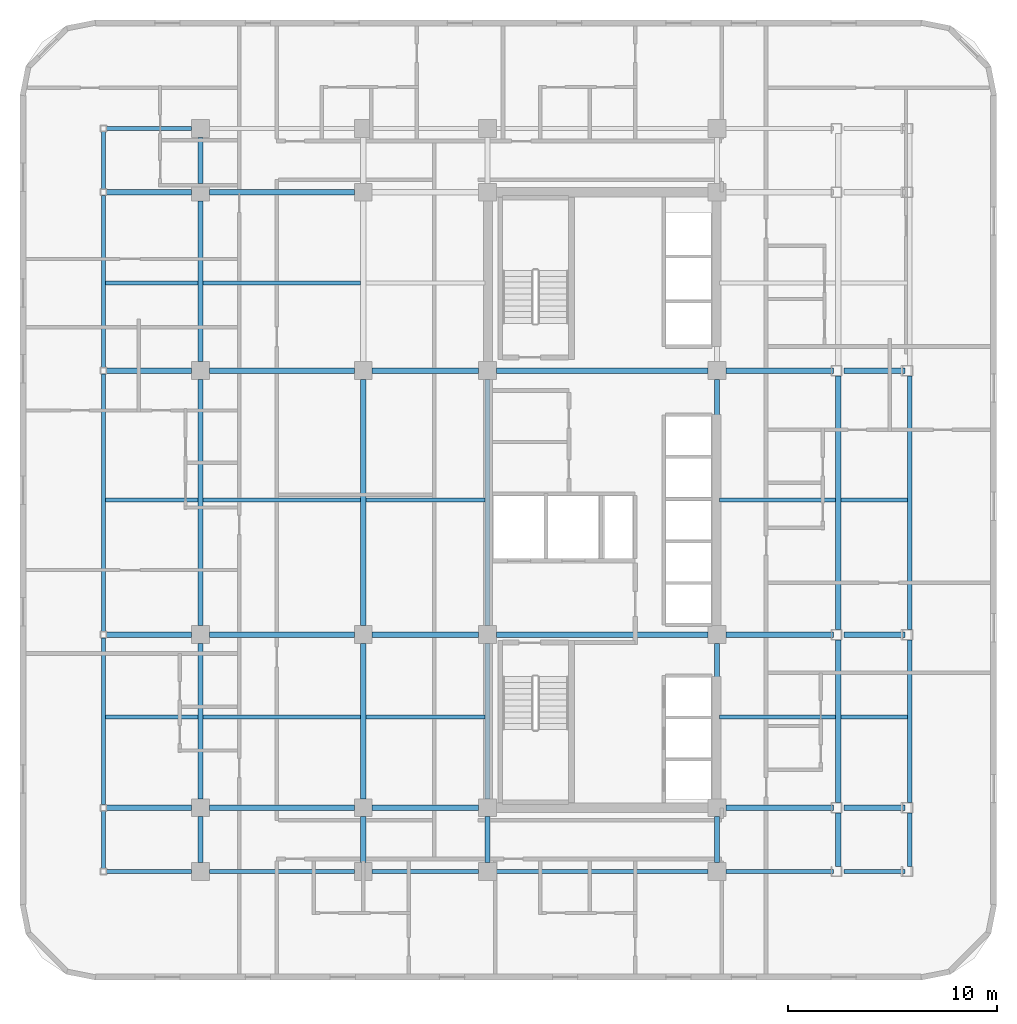
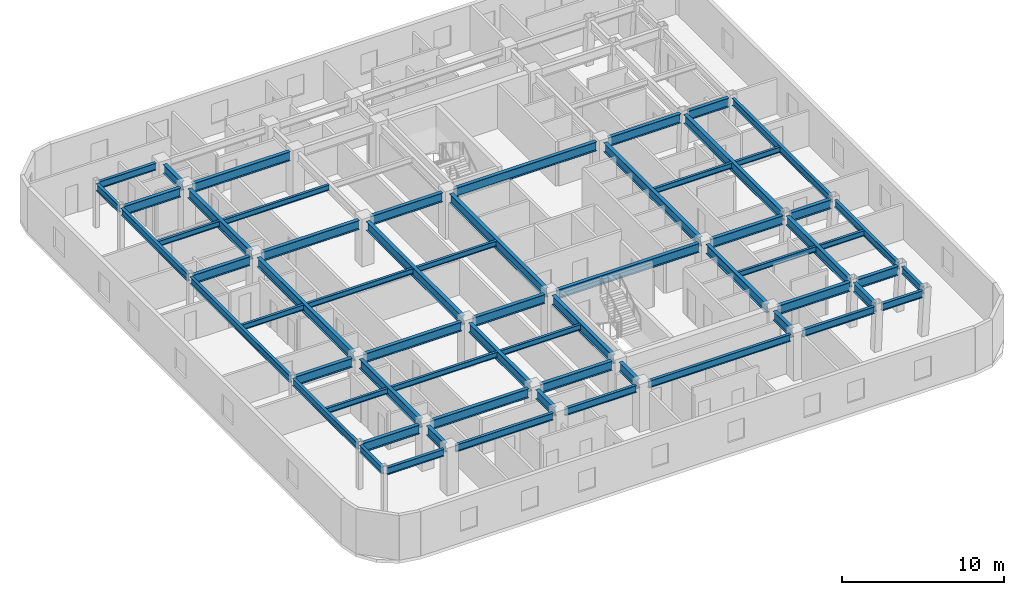
# One storey, part 4 of 12: 63 beams.
"""IFC4 building model written with IfcOpenShell, lengths in metres."""

import ifcopenshell
import ifcopenshell.guid

model = None  # the IFC model being written
_history = None  # IfcOwnerHistory: only IFC2X3 demands one
_inside = {}  # id of a spatial element -> (the spatial element, [elements in it])
_under = {}  # id of a project, library or spatial element -> (it, [spatial elements below it])
_declared = {}  # id of a project -> (the project, [libraries it declares])
_typed = {}  # id of a type object -> (the type object, [elements of that type])
_made_of = {}  # id of a material, layer set ... -> (it, [elements and type objects made of it])


def new_model(schema):
    """Start an empty IFC model of exactly this schema.

    Asked for "IFC4X3", IfcOpenShell would pick the latest addendum, in which some entities
    have other attributes; the version numbers below select the first issue.
    IFC2X3 requires an IfcOwnerHistory on every rooted entity: one is made here for all.
    """
    global model, _history
    if schema == "IFC4X3":
        model = ifcopenshell.file(schema_version=(4, 3, 0, 0))
    else:
        model = ifcopenshell.file(schema=schema)
    _inside.clear()
    _under.clear()
    _declared.clear()
    _typed.clear()
    _made_of.clear()
    _history = None
    if model.schema == "IFC2X3":
        org = make("IfcOrganization", Name="unknown")
        user = make(
            "IfcPersonAndOrganization",
            ThePerson=make("IfcPerson", FamilyName="unknown"),
            TheOrganization=org,
        )
        app = make(
            "IfcApplication",
            ApplicationDeveloper=org,
            Version="unknown",
            ApplicationFullName="unknown",
            ApplicationIdentifier="unknown",
        )
        _history = make(
            "IfcOwnerHistory",
            OwningUser=user,
            OwningApplication=app,
            ChangeAction="ADDED",
            CreationDate=0,
        )
    return model


def make(cls, **values):
    """One entity of the class cls with the attributes given. An attribute that is None is left unset."""
    return model.create_entity(
        cls, **{name: value for name, value in values.items() if value is not None}
    )


def rooted(cls, **values):
    """An entity with a GlobalId (a new one), such as an element, a storey or a relation."""
    return make(cls, GlobalId=ifcopenshell.guid.new(), OwnerHistory=_history, **values)


def si_unit(unit_type, name, prefix=None):
    """IfcSIUnit, for example si_unit("LENGTHUNIT", "METRE", prefix="MILLI")."""
    return make("IfcSIUnit", UnitType=unit_type, Prefix=prefix, Name=name)


def assignment(units):
    """IfcUnitAssignment: the units of a project."""
    return None if units is None else make("IfcUnitAssignment", Units=units)


def point(xyz):
    """IfcCartesianPoint."""
    return None if xyz is None else make("IfcCartesianPoint", Coordinates=xyz)


def direction(xyz):
    """IfcDirection."""
    return None if xyz is None else make("IfcDirection", DirectionRatios=xyz)


def frame(location, z_axis=None, x_axis=None):
    """IfcAxis2Placement3D, a coordinate frame: its origin and axes. An axis left out is left unset."""
    return make(
        "IfcAxis2Placement3D",
        Location=point(location),
        Axis=direction(z_axis),
        RefDirection=direction(x_axis),
    )


def frame_2d(location, x_axis=None):
    """IfcAxis2Placement2D, a coordinate frame in the plane: its origin and x axis."""
    return make(
        "IfcAxis2Placement2D", Location=point(location), RefDirection=direction(x_axis)
    )


def origin():
    """The frame at (0, 0, 0) with its axes left unset."""
    return frame((0.0, 0.0, 0.0))


def origin_2d():
    """The frame at (0, 0) in the plane with its x axis left unset."""
    return frame_2d((0.0, 0.0))


def place(relative_to, where):
    """IfcLocalPlacement: puts the frame where relative to a parent placement (None: the world)."""
    return make(
        "IfcLocalPlacement", PlacementRelTo=relative_to, RelativePlacement=where
    )


def context(
    kind, dimensions, precision=None, world=None, true_north=None, identifier=None
):
    """IfcGeometricRepresentationContext, for example the 3D "Model" context."""
    return make(
        "IfcGeometricRepresentationContext",
        ContextIdentifier=identifier,
        ContextType=kind,
        CoordinateSpaceDimension=dimensions,
        Precision=precision,
        WorldCoordinateSystem=world,
        TrueNorth=true_north,
    )


def subcontext(parent, identifier, kind, view, scale=None):
    """IfcGeometricRepresentationSubContext, for example "Body" below "Model"."""
    return make(
        "IfcGeometricRepresentationSubContext",
        ContextIdentifier=identifier,
        ContextType=kind,
        ParentContext=parent,
        TargetScale=scale,
        TargetView=view,
    )


def project(units=None, contexts=None):
    """IfcProject with its units and contexts."""
    return rooted(
        "IfcProject",
        Name="project",
        RepresentationContexts=contexts,
        UnitsInContext=assignment(units),
    )


def spatial(cls, under=None, at=None, **own):
    """A site, building, storey or space (cls), placed at a placement, below another one or the project."""
    s = rooted(cls, ObjectPlacement=at, **own)
    if under is not None:
        _under.setdefault(under.id(), (under, []))[1].append(s)
    return s


def profile(cls, at=None, kind="AREA", **sizes):
    """A parametric profile (cls). Its sizes go by their IFC names, for example OverallWidth=200.0."""
    return make(cls, ProfileType=kind, Position=at, **sizes)


def i_section(**sizes):
    """IfcIShapeProfileDef."""
    return profile("IfcIShapeProfileDef", **sizes)


def extrude(swept, where, along, depth):
    """IfcExtrudedAreaSolid: the profile swept, set in the frame where, extruded along a direction by depth."""
    return make(
        "IfcExtrudedAreaSolid",
        SweptArea=swept,
        Position=where,
        ExtrudedDirection=direction(along),
        Depth=depth,
    )


def shape(context_of_items, identifier, shape_type, items):
    """IfcShapeRepresentation: the items that make up one representation, for example the "Body"."""
    return make(
        "IfcShapeRepresentation",
        ContextOfItems=context_of_items,
        RepresentationIdentifier=identifier,
        RepresentationType=shape_type,
        Items=items,
    )


def material(Name=None, Category=None):
    """IfcMaterial."""
    return make("IfcMaterial", Name=Name, Category=Category)


def material_profile(
    of_material, cross_section, Name=None, Category=None, Priority=None
):
    """IfcMaterialProfile: a cross section and its material."""
    return make(
        "IfcMaterialProfile",
        Name=Name,
        Material=of_material,
        Profile=cross_section,
        Priority=Priority,
        Category=Category,
    )


def profile_set(profiles, Name=None, composite=None):
    """IfcMaterialProfileSet."""
    return make(
        "IfcMaterialProfileSet",
        Name=Name,
        MaterialProfiles=profiles,
        CompositeProfile=composite,
    )


def made_of(thing, what):
    """Note that an element or type object is made of a material, layer set ...; save() writes the relation."""
    if what is not None:
        _made_of.setdefault(what.id(), (what, []))[1].append(thing)
    return thing


def type_object(cls, material=None, **own):
    """A type object (cls), such as IfcWallType, which elements share."""
    return made_of(rooted(cls, **own), material)


def element(
    cls,
    number,
    at=None,
    inside=None,
    cuts=None,
    type_object=None,
    material=None,
    context=None,
    identifier="Body",
    shape_type=None,
    held_by="IfcProductDefinitionShape",
    body=None,
    shapes=None,
    **own,
):
    """One element of the class cls, such as IfcWall. Its Tag is "e" and its number.

    at: its placement. inside: the storey or other place that contains it. cuts: it is an
    opening in that element (IfcRelVoidsElement). A single representation is given by context,
    identifier, shape_type and body (its items); several are given by shapes. held_by: the class
    of the entity that holds the representations. save() writes the other relations.
    """
    e = rooted(cls, Tag="e%d" % number, ObjectPlacement=at, **own)
    if body is not None:
        shapes = [shape(context, identifier, shape_type, body)]
    if shapes is not None:
        e.Representation = make(held_by, Representations=shapes)
    if inside is not None:
        _inside.setdefault(inside.id(), (inside, []))[1].append(e)
    if cuts is not None:
        rooted(
            "IfcRelVoidsElement", RelatingBuildingElement=cuts, RelatedOpeningElement=e
        )
    if type_object is not None:
        _typed.setdefault(type_object.id(), (type_object, []))[1].append(e)
    return made_of(e, material)


def aggregate(whole, parts):
    """IfcRelAggregates: a whole, such as a stair, and the parts it consists of."""
    return rooted("IfcRelAggregates", RelatingObject=whole, RelatedObjects=parts)


def save(model, path):
    """Write the relations noted so far, then the file.

    IfcRelAggregates (storeys below a building ...), IfcRelContainedInSpatialStructure (elements
    in a storey), IfcRelDefinesByType, IfcRelAssociatesMaterial and IfcRelDeclares: one each for
    every whole, place, type object, material and project.
    """
    for whole, parts in _under.values():
        aggregate(whole, parts)
    for where, things in _inside.values():
        rooted(
            "IfcRelContainedInSpatialStructure",
            RelatedElements=things,
            RelatingStructure=where,
        )
    for kind, things in _typed.values():
        rooted("IfcRelDefinesByType", RelatedObjects=things, RelatingType=kind)
    for what, things in _made_of.values():
        rooted("IfcRelAssociatesMaterial", RelatedObjects=things, RelatingMaterial=what)
    for by, libraries in _declared.values():
        rooted("IfcRelDeclares", RelatingContext=by, RelatedDefinitions=libraries)
    model.write(path)


model = new_model("IFC4")

# Units and contexts
model_context = context("Model", 3, precision=1e-05, world=origin(), true_north=direction((0.0, 1.0)))
body_context = subcontext(model_context, "Body", "Model", "MODEL_VIEW")
ifc_project = project(units=[si_unit("LENGTHUNIT", "METRE"), si_unit("AREAUNIT", "SQUARE_METRE"), si_unit("VOLUMEUNIT", "CUBIC_METRE"), si_unit("PLANEANGLEUNIT", "RADIAN"), si_unit("MASSUNIT", "GRAM", prefix="KILO")], contexts=[model_context])

# Site, building, storey
site_placement = place(None, origin())
site = spatial("IfcSite", under=ifc_project, at=site_placement, CompositionType="ELEMENT")
building_placement = place(site_placement, origin())
building = spatial("IfcBuilding", under=site, at=building_placement, Name="Ochreholt Gables", CompositionType="ELEMENT")
storey_placement = place(building_placement, frame((0.0, 0.0, 27.60009765625)))
storey = spatial("IfcBuildingStorey", under=building, at=storey_placement, Name="L06", CompositionType="ELEMENT", Elevation=27.60009765625)

# Beams
ifc_material = material(Name="Steel CSA G40.21 350W", Category="steel")
ifc_material_profile_1 = material_profile(ifc_material, i_section(OverallWidth=0.256103515625, OverallDepth=0.693115234375, WebThickness=0.014404296875, FlangeThickness=0.023681640625, at=origin_2d()), Name="W690X170")
ifc_profile_set_1 = profile_set([ifc_material_profile_1], Name="Steel CSA G40.21 350W")
beam_type_1 = type_object("IfcBeamType", Name="BM-G-W690", PredefinedType="BEAM", material=ifc_profile_set_1)
beam_1_placement = place(storey_placement, frame((5.9521484375, 9.25, 3.013427734375), z_axis=(1.0, 0.0, 0.0), x_axis=(0.0, 1.0, 0.0)))
element("IfcBeam", 1, at=beam_1_placement, inside=storey, type_object=beam_type_1, Name="L06 Beam TBG-L06-WTW2-Y2", PredefinedType="BEAM", context=body_context, shape_type="SweptSolid", body=[
    extrude(i_section(OverallWidth=0.256103515625, OverallDepth=0.693115234375, WebThickness=0.014404296875, FlangeThickness=0.023681640625, at=origin_2d()), origin(), (0.0, 0.0, 1.0), 4.0732421875),
])
beam_2_placement = place(storey_placement, frame((10.87451171875, 9.25, 3.013427734375), z_axis=(1.0, 0.0, 0.0), x_axis=(0.0, 1.0, 0.0)))
element("IfcBeam", 2, at=beam_2_placement, inside=storey, type_object=beam_type_1, Name="L06 Beam TBG-L06-W2W3-Y2", PredefinedType="BEAM", context=body_context, shape_type="SweptSolid", body=[
    extrude(i_section(OverallWidth=0.256103515625, OverallDepth=0.693115234375, WebThickness=0.014404296875, FlangeThickness=0.023681640625, at=origin_2d()), origin(), (0.0, 0.0, 1.0), 6.950927734375),
])
beam_3_placement = place(storey_placement, frame((18.674560546875, 9.25, 3.013427734375), z_axis=(1.0, 0.0, 0.0), x_axis=(0.0, 1.0, 0.0)))
element("IfcBeam", 3, at=beam_3_placement, inside=storey, type_object=beam_type_1, Name="L06 Beam TBG-L06-W3C1-Y2", PredefinedType="BEAM", context=body_context, shape_type="SweptSolid", body=[
    extrude(i_section(OverallWidth=0.256103515625, OverallDepth=0.693115234375, WebThickness=0.014404296875, FlangeThickness=0.023681640625, at=origin_2d()), origin(), (0.0, 0.0, 1.0), 5.100830078125),
])
beam_4_placement = place(storey_placement, frame((35.62451171875, 9.25, 3.013427734375), z_axis=(1.0, 0.0, 0.0), x_axis=(0.0, 1.0, 0.0)))
element("IfcBeam", 4, at=beam_4_placement, inside=storey, type_object=beam_type_1, Name="L06 Beam TBG-L06-C2EM-Y2", PredefinedType="BEAM", context=body_context, shape_type="SweptSolid", body=[
    extrude(i_section(OverallWidth=0.256103515625, OverallDepth=0.693115234375, WebThickness=0.014404296875, FlangeThickness=0.023681640625, at=origin_2d()), origin(), (0.0, 0.0, 1.0), 5.15380859375),
])
beam_5_placement = place(storey_placement, frame((41.277587890625, 9.25, 3.013427734375), z_axis=(1.0, 0.0, 0.0), x_axis=(0.0, 1.0, 0.0)))
element("IfcBeam", 5, at=beam_5_placement, inside=storey, type_object=beam_type_1, Name="L06 Beam TBG-L06-EMEE-Y2", PredefinedType="BEAM", context=body_context, shape_type="SweptSolid", body=[
    extrude(i_section(OverallWidth=0.256103515625, OverallDepth=0.693115234375, WebThickness=0.014404296875, FlangeThickness=0.023681640625, at=origin_2d()), origin(), (0.0, 0.0, 1.0), 2.939208984375),
])
beam_6_placement = place(storey_placement, frame((5.9521484375, 17.550048828125, 3.013427734375), z_axis=(1.0, 0.0, 0.0), x_axis=(0.0, 1.0, 0.0)))
element("IfcBeam", 6, at=beam_6_placement, inside=storey, type_object=beam_type_1, Name="L06 Beam TBG-L06-WTW2-Y3", PredefinedType="BEAM", context=body_context, shape_type="SweptSolid", body=[
    extrude(i_section(OverallWidth=0.256103515625, OverallDepth=0.693115234375, WebThickness=0.014404296875, FlangeThickness=0.023681640625, at=origin_2d()), origin(), (0.0, 0.0, 1.0), 4.0732421875),
])
beam_7_placement = place(storey_placement, frame((10.87451171875, 17.550048828125, 3.013427734375), z_axis=(1.0, 0.0, 0.0), x_axis=(0.0, 1.0, 0.0)))
element("IfcBeam", 7, at=beam_7_placement, inside=storey, type_object=beam_type_1, Name="L06 Beam TBG-L06-W2W3-Y3", PredefinedType="BEAM", context=body_context, shape_type="SweptSolid", body=[
    extrude(i_section(OverallWidth=0.256103515625, OverallDepth=0.693115234375, WebThickness=0.014404296875, FlangeThickness=0.023681640625, at=origin_2d()), origin(), (0.0, 0.0, 1.0), 6.950927734375),
])
beam_8_placement = place(storey_placement, frame((18.674560546875, 17.550048828125, 3.013427734375), z_axis=(1.0, 0.0, 0.0), x_axis=(0.0, 1.0, 0.0)))
element("IfcBeam", 8, at=beam_8_placement, inside=storey, type_object=beam_type_1, Name="L06 Beam TBG-L06-W3C1-Y3", PredefinedType="BEAM", context=body_context, shape_type="SweptSolid", body=[
    extrude(i_section(OverallWidth=0.256103515625, OverallDepth=0.693115234375, WebThickness=0.014404296875, FlangeThickness=0.023681640625, at=origin_2d()), origin(), (0.0, 0.0, 1.0), 5.100830078125),
])
beam_9_placement = place(storey_placement, frame((24.62451171875, 17.550048828125, 3.013427734375), z_axis=(1.0, 0.0, 0.0), x_axis=(0.0, 1.0, 0.0)))
element("IfcBeam", 9, at=beam_9_placement, inside=storey, type_object=beam_type_1, Name="L06 Beam TBG-L06-C1C2-Y3", PredefinedType="BEAM", context=body_context, shape_type="SweptSolid", body=[
    extrude(i_section(OverallWidth=0.256103515625, OverallDepth=0.693115234375, WebThickness=0.014404296875, FlangeThickness=0.023681640625, at=origin_2d()), origin(), (0.0, 0.0, 1.0), 10.15087890625),
])
beam_10_placement = place(storey_placement, frame((35.62451171875, 17.550048828125, 3.013427734375), z_axis=(1.0, 0.0, 0.0), x_axis=(0.0, 1.0, 0.0)))
element("IfcBeam", 10, at=beam_10_placement, inside=storey, type_object=beam_type_1, Name="L06 Beam TBG-L06-C2EM-Y3", PredefinedType="BEAM", context=body_context, shape_type="SweptSolid", body=[
    extrude(i_section(OverallWidth=0.256103515625, OverallDepth=0.693115234375, WebThickness=0.014404296875, FlangeThickness=0.023681640625, at=origin_2d()), origin(), (0.0, 0.0, 1.0), 5.15380859375),
])
beam_11_placement = place(storey_placement, frame((41.277587890625, 17.550048828125, 3.013427734375), z_axis=(1.0, 0.0, 0.0), x_axis=(0.0, 1.0, 0.0)))
element("IfcBeam", 11, at=beam_11_placement, inside=storey, type_object=beam_type_1, Name="L06 Beam TBG-L06-EMEE-Y3", PredefinedType="BEAM", context=body_context, shape_type="SweptSolid", body=[
    extrude(i_section(OverallWidth=0.256103515625, OverallDepth=0.693115234375, WebThickness=0.014404296875, FlangeThickness=0.023681640625, at=origin_2d()), origin(), (0.0, 0.0, 1.0), 2.939208984375),
])
beam_12_placement = place(storey_placement, frame((5.9521484375, 30.199951171875, 3.013427734375), z_axis=(1.0, 0.0, 0.0), x_axis=(0.0, 1.0, 0.0)))
element("IfcBeam", 12, at=beam_12_placement, inside=storey, type_object=beam_type_1, Name="L06 Beam TBG-L06-WTW2-Y4", PredefinedType="BEAM", context=body_context, shape_type="SweptSolid", body=[
    extrude(i_section(OverallWidth=0.256103515625, OverallDepth=0.693115234375, WebThickness=0.014404296875, FlangeThickness=0.023681640625, at=origin_2d()), origin(), (0.0, 0.0, 1.0), 4.0732421875),
])
beam_13_placement = place(storey_placement, frame((10.87451171875, 30.199951171875, 3.013427734375), z_axis=(1.0, 0.0, 0.0), x_axis=(0.0, 1.0, 0.0)))
element("IfcBeam", 13, at=beam_13_placement, inside=storey, type_object=beam_type_1, Name="L06 Beam TBG-L06-W2W3-Y4", PredefinedType="BEAM", context=body_context, shape_type="SweptSolid", body=[
    extrude(i_section(OverallWidth=0.256103515625, OverallDepth=0.693115234375, WebThickness=0.014404296875, FlangeThickness=0.023681640625, at=origin_2d()), origin(), (0.0, 0.0, 1.0), 6.950927734375),
])
beam_14_placement = place(storey_placement, frame((18.674560546875, 30.199951171875, 3.013427734375), z_axis=(1.0, 0.0, 0.0), x_axis=(0.0, 1.0, 0.0)))
element("IfcBeam", 14, at=beam_14_placement, inside=storey, type_object=beam_type_1, Name="L06 Beam TBG-L06-W3C1-Y4", PredefinedType="BEAM", context=body_context, shape_type="SweptSolid", body=[
    extrude(i_section(OverallWidth=0.256103515625, OverallDepth=0.693115234375, WebThickness=0.014404296875, FlangeThickness=0.023681640625, at=origin_2d()), origin(), (0.0, 0.0, 1.0), 5.100830078125),
])
beam_15_placement = place(storey_placement, frame((24.62451171875, 30.199951171875, 3.013427734375), z_axis=(1.0, 0.0, 0.0), x_axis=(0.0, 1.0, 0.0)))
element("IfcBeam", 15, at=beam_15_placement, inside=storey, type_object=beam_type_1, Name="L06 Beam TBG-L06-C1C2-Y4", PredefinedType="BEAM", context=body_context, shape_type="SweptSolid", body=[
    extrude(i_section(OverallWidth=0.256103515625, OverallDepth=0.693115234375, WebThickness=0.014404296875, FlangeThickness=0.023681640625, at=origin_2d()), origin(), (0.0, 0.0, 1.0), 10.15087890625),
])
beam_16_placement = place(storey_placement, frame((35.62451171875, 30.199951171875, 3.013427734375), z_axis=(1.0, 0.0, 0.0), x_axis=(0.0, 1.0, 0.0)))
element("IfcBeam", 16, at=beam_16_placement, inside=storey, type_object=beam_type_1, Name="L06 Beam TBG-L06-C2EM-Y4", PredefinedType="BEAM", context=body_context, shape_type="SweptSolid", body=[
    extrude(i_section(OverallWidth=0.256103515625, OverallDepth=0.693115234375, WebThickness=0.014404296875, FlangeThickness=0.023681640625, at=origin_2d()), origin(), (0.0, 0.0, 1.0), 5.15380859375),
])
beam_17_placement = place(storey_placement, frame((41.277587890625, 30.199951171875, 3.013427734375), z_axis=(1.0, 0.0, 0.0), x_axis=(0.0, 1.0, 0.0)))
element("IfcBeam", 17, at=beam_17_placement, inside=storey, type_object=beam_type_1, Name="L06 Beam TBG-L06-EMEE-Y4", PredefinedType="BEAM", context=body_context, shape_type="SweptSolid", body=[
    extrude(i_section(OverallWidth=0.256103515625, OverallDepth=0.693115234375, WebThickness=0.014404296875, FlangeThickness=0.023681640625, at=origin_2d()), origin(), (0.0, 0.0, 1.0), 2.939208984375),
])
beam_18_placement = place(storey_placement, frame((5.9521484375, 38.75, 3.013427734375), z_axis=(1.0, 0.0, 0.0), x_axis=(0.0, 1.0, 0.0)))
element("IfcBeam", 18, at=beam_18_placement, inside=storey, type_object=beam_type_1, Name="L06 Beam TBG-L06-WTW2-Y5", PredefinedType="BEAM", context=body_context, shape_type="SweptSolid", body=[
    extrude(i_section(OverallWidth=0.256103515625, OverallDepth=0.693115234375, WebThickness=0.014404296875, FlangeThickness=0.023681640625, at=origin_2d()), origin(), (0.0, 0.0, 1.0), 4.0732421875),
])
beam_19_placement = place(storey_placement, frame((10.87451171875, 38.75, 3.013427734375), z_axis=(1.0, 0.0, 0.0), x_axis=(0.0, 1.0, 0.0)))
element("IfcBeam", 19, at=beam_19_placement, inside=storey, type_object=beam_type_1, Name="L06 Beam TBG-L06-W2W3-Y5", PredefinedType="BEAM", context=body_context, shape_type="SweptSolid", body=[
    extrude(i_section(OverallWidth=0.256103515625, OverallDepth=0.693115234375, WebThickness=0.014404296875, FlangeThickness=0.023681640625, at=origin_2d()), origin(), (0.0, 0.0, 1.0), 6.950927734375),
])
beam_20_placement = place(storey_placement, frame((10.449951171875, 6.62451171875, 3.013427734375), z_axis=(0.0, 1.0, 0.0), x_axis=(-1.0, 0.0, 0.0)))
element("IfcBeam", 20, at=beam_20_placement, inside=storey, type_object=beam_type_1, Name="L06 Beam TBN-L06-W2-Y1Y2", PredefinedType="BEAM", context=body_context, shape_type="SweptSolid", body=[
    extrude(i_section(OverallWidth=0.256103515625, OverallDepth=0.693115234375, WebThickness=0.014404296875, FlangeThickness=0.023681640625, at=origin_2d()), origin(), (0.0, 0.0, 1.0), 2.200927734375),
])
beam_21_placement = place(storey_placement, frame((10.449951171875, 9.674560546875, 3.013427734375), z_axis=(0.0, 1.0, 0.0), x_axis=(-1.0, 0.0, 0.0)))
element("IfcBeam", 21, at=beam_21_placement, inside=storey, type_object=beam_type_1, Name="L06 Beam TBN-L06-W2-Y2Y3", PredefinedType="BEAM", context=body_context, shape_type="SweptSolid", body=[
    extrude(i_section(OverallWidth=0.256103515625, OverallDepth=0.693115234375, WebThickness=0.014404296875, FlangeThickness=0.023681640625, at=origin_2d()), origin(), (0.0, 0.0, 1.0), 7.450927734375),
])
beam_22_placement = place(storey_placement, frame((10.449951171875, 17.974609375, 3.013427734375), z_axis=(0.0, 1.0, 0.0), x_axis=(-1.0, 0.0, 0.0)))
element("IfcBeam", 22, at=beam_22_placement, inside=storey, type_object=beam_type_1, Name="L06 Beam TBN-L06-W2-Y3Y4", PredefinedType="BEAM", context=body_context, shape_type="SweptSolid", body=[
    extrude(i_section(OverallWidth=0.256103515625, OverallDepth=0.693115234375, WebThickness=0.014404296875, FlangeThickness=0.023681640625, at=origin_2d()), origin(), (0.0, 0.0, 1.0), 11.80078125),
])
beam_23_placement = place(storey_placement, frame((10.449951171875, 30.62451171875, 3.013427734375), z_axis=(0.0, 1.0, 0.0), x_axis=(-1.0, 0.0, 0.0)))
element("IfcBeam", 23, at=beam_23_placement, inside=storey, type_object=beam_type_1, Name="L06 Beam TBN-L06-W2-Y4Y5", PredefinedType="BEAM", context=body_context, shape_type="SweptSolid", body=[
    extrude(i_section(OverallWidth=0.256103515625, OverallDepth=0.693115234375, WebThickness=0.014404296875, FlangeThickness=0.023681640625, at=origin_2d()), origin(), (0.0, 0.0, 1.0), 7.700927734375),
])
for number, where, z_axis, x_axis, name in (
    (24, (10.449951171875, 39.174560546875, 3.013427734375), (0.0, 1.0, 0.0), (-1.0, 0.0, 0.0), "L06 Beam TBN-L06-W2-Y5Y6"),
    (25, (18.25, 6.62451171875, 3.013427734375), (0.0, 1.0, 0.0), (-1.0, 0.0, 0.0), "L06 Beam TBN-L06-W3-Y1Y2"),
):
    element("IfcBeam", number, at=place(storey_placement, frame(where, z_axis=z_axis, x_axis=x_axis)), inside=storey, type_object=beam_type_1, Name=name, PredefinedType="BEAM", context=body_context, shape_type="SweptSolid", body=[
        extrude(i_section(OverallWidth=0.256103515625, OverallDepth=0.693115234375, WebThickness=0.014404296875, FlangeThickness=0.023681640625, at=origin_2d()), origin(), (0.0, 0.0, 1.0), 2.200927734375),
    ])
beam_24_placement = place(storey_placement, frame((18.25, 9.674560546875, 3.013427734375), z_axis=(0.0, 1.0, 0.0), x_axis=(-1.0, 0.0, 0.0)))
element("IfcBeam", 26, at=beam_24_placement, inside=storey, type_object=beam_type_1, Name="L06 Beam TBN-L06-W3-Y2Y3", PredefinedType="BEAM", context=body_context, shape_type="SweptSolid", body=[
    extrude(i_section(OverallWidth=0.256103515625, OverallDepth=0.693115234375, WebThickness=0.014404296875, FlangeThickness=0.023681640625, at=origin_2d()), origin(), (0.0, 0.0, 1.0), 7.450927734375),
])
beam_25_placement = place(storey_placement, frame((18.25, 17.974609375, 3.013427734375), z_axis=(0.0, 1.0, 0.0), x_axis=(-1.0, 0.0, 0.0)))
element("IfcBeam", 27, at=beam_25_placement, inside=storey, type_object=beam_type_1, Name="L06 Beam TBN-L06-W3-Y3Y4", PredefinedType="BEAM", context=body_context, shape_type="SweptSolid", body=[
    extrude(i_section(OverallWidth=0.256103515625, OverallDepth=0.693115234375, WebThickness=0.014404296875, FlangeThickness=0.023681640625, at=origin_2d()), origin(), (0.0, 0.0, 1.0), 11.80078125),
])
beam_26_placement = place(storey_placement, frame((24.199951171875, 6.62451171875, 3.013427734375), z_axis=(0.0, 1.0, 0.0), x_axis=(-1.0, 0.0, 0.0)))
element("IfcBeam", 28, at=beam_26_placement, inside=storey, type_object=beam_type_1, Name="L06 Beam TBN-L06-C1-Y1Y2", PredefinedType="BEAM", context=body_context, shape_type="SweptSolid", body=[
    extrude(i_section(OverallWidth=0.256103515625, OverallDepth=0.693115234375, WebThickness=0.014404296875, FlangeThickness=0.023681640625, at=origin_2d()), origin(), (0.0, 0.0, 1.0), 2.200927734375),
])
beam_27_placement = place(storey_placement, frame((24.199951171875, 9.674560546875, 3.013427734375), z_axis=(0.0, 1.0, 0.0), x_axis=(-1.0, 0.0, 0.0)))
element("IfcBeam", 29, at=beam_27_placement, inside=storey, type_object=beam_type_1, Name="L06 Beam TBN-L06-C1-Y2Y3", PredefinedType="BEAM", context=body_context, shape_type="SweptSolid", body=[
    extrude(i_section(OverallWidth=0.256103515625, OverallDepth=0.693115234375, WebThickness=0.014404296875, FlangeThickness=0.023681640625, at=origin_2d()), origin(), (0.0, 0.0, 1.0), 7.450927734375),
])
beam_28_placement = place(storey_placement, frame((24.199951171875, 17.974609375, 3.013427734375), z_axis=(0.0, 1.0, 0.0), x_axis=(-1.0, 0.0, 0.0)))
element("IfcBeam", 30, at=beam_28_placement, inside=storey, type_object=beam_type_1, Name="L06 Beam TBN-L06-C1-Y3Y4", PredefinedType="BEAM", context=body_context, shape_type="SweptSolid", body=[
    extrude(i_section(OverallWidth=0.256103515625, OverallDepth=0.693115234375, WebThickness=0.014404296875, FlangeThickness=0.023681640625, at=origin_2d()), origin(), (0.0, 0.0, 1.0), 11.80078125),
])
beam_29_placement = place(storey_placement, frame((35.199951171875, 6.62451171875, 3.013427734375), z_axis=(0.0, 1.0, 0.0), x_axis=(-1.0, 0.0, 0.0)))
element("IfcBeam", 31, at=beam_29_placement, inside=storey, type_object=beam_type_1, Name="L06 Beam TBN-L06-C2-Y1Y2", PredefinedType="BEAM", context=body_context, shape_type="SweptSolid", body=[
    extrude(i_section(OverallWidth=0.256103515625, OverallDepth=0.693115234375, WebThickness=0.014404296875, FlangeThickness=0.023681640625, at=origin_2d()), origin(), (0.0, 0.0, 1.0), 2.200927734375),
])
beam_30_placement = place(storey_placement, frame((35.199951171875, 9.674560546875, 3.013427734375), z_axis=(0.0, 1.0, 0.0), x_axis=(-1.0, 0.0, 0.0)))
element("IfcBeam", 32, at=beam_30_placement, inside=storey, type_object=beam_type_1, Name="L06 Beam TBN-L06-C2-Y2Y3", PredefinedType="BEAM", context=body_context, shape_type="SweptSolid", body=[
    extrude(i_section(OverallWidth=0.256103515625, OverallDepth=0.693115234375, WebThickness=0.014404296875, FlangeThickness=0.023681640625, at=origin_2d()), origin(), (0.0, 0.0, 1.0), 7.450927734375),
])
beam_31_placement = place(storey_placement, frame((35.199951171875, 17.974609375, 3.013427734375), z_axis=(0.0, 1.0, 0.0), x_axis=(-1.0, 0.0, 0.0)))
element("IfcBeam", 33, at=beam_31_placement, inside=storey, type_object=beam_type_1, Name="L06 Beam TBN-L06-C2-Y3Y4", PredefinedType="BEAM", context=body_context, shape_type="SweptSolid", body=[
    extrude(i_section(OverallWidth=0.256103515625, OverallDepth=0.693115234375, WebThickness=0.014404296875, FlangeThickness=0.023681640625, at=origin_2d()), origin(), (0.0, 0.0, 1.0), 11.80078125),
])
beam_32_placement = place(storey_placement, frame((41.0107421875, 6.44970703125, 3.013427734375), z_axis=(0.0, 1.0, 0.0), x_axis=(-1.0, 0.0, 0.0)))
element("IfcBeam", 34, at=beam_32_placement, inside=storey, type_object=beam_type_1, Name="L06 Beam TBN-L06-EM-Y1Y2", PredefinedType="BEAM", context=body_context, shape_type="SweptSolid", body=[
    extrude(i_section(OverallWidth=0.256103515625, OverallDepth=0.693115234375, WebThickness=0.014404296875, FlangeThickness=0.023681640625, at=origin_2d()), origin(), (0.0, 0.0, 1.0), 2.55078125),
])
beam_33_placement = place(storey_placement, frame((41.0107421875, 9.49951171875, 3.013427734375), z_axis=(0.0, 1.0, 0.0), x_axis=(-1.0, 0.0, 0.0)))
element("IfcBeam", 35, at=beam_33_placement, inside=storey, type_object=beam_type_1, Name="L06 Beam TBN-L06-EM-Y2Y3", PredefinedType="BEAM", context=body_context, shape_type="SweptSolid", body=[
    extrude(i_section(OverallWidth=0.256103515625, OverallDepth=0.693115234375, WebThickness=0.014404296875, FlangeThickness=0.023681640625, at=origin_2d()), origin(), (0.0, 0.0, 1.0), 7.80078125),
])
beam_34_placement = place(storey_placement, frame((41.0107421875, 17.799560546875, 3.013427734375), z_axis=(0.0, 1.0, 0.0), x_axis=(-1.0, 0.0, 0.0)))
element("IfcBeam", 36, at=beam_34_placement, inside=storey, type_object=beam_type_1, Name="L06 Beam TBN-L06-EM-Y3Y4", PredefinedType="BEAM", context=body_context, shape_type="SweptSolid", body=[
    extrude(i_section(OverallWidth=0.256103515625, OverallDepth=0.693115234375, WebThickness=0.014404296875, FlangeThickness=0.023681640625, at=origin_2d()), origin(), (0.0, 0.0, 1.0), 12.15087890625),
])
ifc_material_profile_2 = material_profile(ifc_material, i_section(OverallWidth=0.178955078125, OverallDepth=0.409912109375, WebThickness=0.0087890625, FlangeThickness=0.014404296875, at=origin_2d()), Name="W410X67")
ifc_profile_set_2 = profile_set([ifc_material_profile_2], Name="Steel CSA G40.21 350W")
beam_type_2 = type_object("IfcBeamType", Name="BM-J-W410", PredefinedType="JOIST", material=ifc_profile_set_2)
beam_35_placement = place(storey_placement, frame((5.904052734375, 13.60009765625, 3.15478515625), z_axis=(1.0, 0.0, 0.0), x_axis=(0.0, 1.0, 0.0)))
element("IfcBeam", 37, at=beam_35_placement, inside=storey, type_object=beam_type_2, Name="L06 Beam TBJ-L06-J1-WTW2", PredefinedType="JOIST", context=body_context, shape_type="SweptSolid", body=[
    extrude(i_section(OverallWidth=0.178955078125, OverallDepth=0.409912109375, WebThickness=0.0087890625, FlangeThickness=0.014404296875, at=origin_2d()), origin(), (0.0, 0.0, 1.0), 4.41845703125),
])
beam_36_placement = place(storey_placement, frame((10.57763671875, 13.60009765625, 3.15478515625), z_axis=(1.0, 0.0, 0.0), x_axis=(0.0, 1.0, 0.0)))
element("IfcBeam", 38, at=beam_36_placement, inside=storey, type_object=beam_type_2, Name="L06 Beam TBJ-L06-J1-W2W3", PredefinedType="JOIST", context=body_context, shape_type="SweptSolid", body=[
    extrude(i_section(OverallWidth=0.178955078125, OverallDepth=0.409912109375, WebThickness=0.0087890625, FlangeThickness=0.014404296875, at=origin_2d()), origin(), (0.0, 0.0, 1.0), 7.544677734375),
])
beam_37_placement = place(storey_placement, frame((18.377685546875, 13.60009765625, 3.15478515625), z_axis=(1.0, 0.0, 0.0), x_axis=(0.0, 1.0, 0.0)))
element("IfcBeam", 39, at=beam_37_placement, inside=storey, type_object=beam_type_2, Name="L06 Beam TBJ-L06-J1-W3C1", PredefinedType="JOIST", context=body_context, shape_type="SweptSolid", body=[
    extrude(i_section(OverallWidth=0.178955078125, OverallDepth=0.409912109375, WebThickness=0.0087890625, FlangeThickness=0.014404296875, at=origin_2d()), origin(), (0.0, 0.0, 1.0), 5.69482421875),
])
beam_38_placement = place(storey_placement, frame((35.32763671875, 13.60009765625, 3.15478515625), z_axis=(1.0, 0.0, 0.0), x_axis=(0.0, 1.0, 0.0)))
element("IfcBeam", 40, at=beam_38_placement, inside=storey, type_object=beam_type_2, Name="L06 Beam TBJ-L06-J1-C2EM", PredefinedType="JOIST", context=body_context, shape_type="SweptSolid", body=[
    extrude(i_section(OverallWidth=0.178955078125, OverallDepth=0.409912109375, WebThickness=0.0087890625, FlangeThickness=0.014404296875, at=origin_2d()), origin(), (0.0, 0.0, 1.0), 5.5556640625),
])
beam_39_placement = place(storey_placement, frame((41.138427734375, 13.60009765625, 3.15478515625), z_axis=(1.0, 0.0, 0.0), x_axis=(0.0, 1.0, 0.0)))
element("IfcBeam", 41, at=beam_39_placement, inside=storey, type_object=beam_type_2, Name="L06 Beam TBJ-L06-J1-EMEE", PredefinedType="JOIST", context=body_context, shape_type="SweptSolid", body=[
    extrude(i_section(OverallWidth=0.178955078125, OverallDepth=0.409912109375, WebThickness=0.0087890625, FlangeThickness=0.014404296875, at=origin_2d()), origin(), (0.0, 0.0, 1.0), 3.195556640625),
])
beam_40_placement = place(storey_placement, frame((5.904052734375, 24.0, 3.15478515625), z_axis=(1.0, 0.0, 0.0), x_axis=(0.0, 1.0, 0.0)))
element("IfcBeam", 42, at=beam_40_placement, inside=storey, type_object=beam_type_2, Name="L06 Beam TBJ-L06-J2-WTW2", PredefinedType="JOIST", context=body_context, shape_type="SweptSolid", body=[
    extrude(i_section(OverallWidth=0.178955078125, OverallDepth=0.409912109375, WebThickness=0.0087890625, FlangeThickness=0.014404296875, at=origin_2d()), origin(), (0.0, 0.0, 1.0), 4.41845703125),
])
beam_41_placement = place(storey_placement, frame((10.57763671875, 24.0, 3.15478515625), z_axis=(1.0, 0.0, 0.0), x_axis=(0.0, 1.0, 0.0)))
element("IfcBeam", 43, at=beam_41_placement, inside=storey, type_object=beam_type_2, Name="L06 Beam TBJ-L06-J2-W2W3", PredefinedType="JOIST", context=body_context, shape_type="SweptSolid", body=[
    extrude(i_section(OverallWidth=0.178955078125, OverallDepth=0.409912109375, WebThickness=0.0087890625, FlangeThickness=0.014404296875, at=origin_2d()), origin(), (0.0, 0.0, 1.0), 7.544677734375),
])
beam_42_placement = place(storey_placement, frame((18.377685546875, 24.0, 3.15478515625), z_axis=(1.0, 0.0, 0.0), x_axis=(0.0, 1.0, 0.0)))
element("IfcBeam", 44, at=beam_42_placement, inside=storey, type_object=beam_type_2, Name="L06 Beam TBJ-L06-J2-W3C1", PredefinedType="JOIST", context=body_context, shape_type="SweptSolid", body=[
    extrude(i_section(OverallWidth=0.178955078125, OverallDepth=0.409912109375, WebThickness=0.0087890625, FlangeThickness=0.014404296875, at=origin_2d()), origin(), (0.0, 0.0, 1.0), 5.69482421875),
])
beam_43_placement = place(storey_placement, frame((35.32763671875, 24.0, 3.15478515625), z_axis=(1.0, 0.0, 0.0), x_axis=(0.0, 1.0, 0.0)))
element("IfcBeam", 45, at=beam_43_placement, inside=storey, type_object=beam_type_2, Name="L06 Beam TBJ-L06-J2-C2EM", PredefinedType="JOIST", context=body_context, shape_type="SweptSolid", body=[
    extrude(i_section(OverallWidth=0.178955078125, OverallDepth=0.409912109375, WebThickness=0.0087890625, FlangeThickness=0.014404296875, at=origin_2d()), origin(), (0.0, 0.0, 1.0), 5.5556640625),
])
beam_44_placement = place(storey_placement, frame((41.138427734375, 24.0, 3.15478515625), z_axis=(1.0, 0.0, 0.0), x_axis=(0.0, 1.0, 0.0)))
element("IfcBeam", 46, at=beam_44_placement, inside=storey, type_object=beam_type_2, Name="L06 Beam TBJ-L06-J2-EMEE", PredefinedType="JOIST", context=body_context, shape_type="SweptSolid", body=[
    extrude(i_section(OverallWidth=0.178955078125, OverallDepth=0.409912109375, WebThickness=0.0087890625, FlangeThickness=0.014404296875, at=origin_2d()), origin(), (0.0, 0.0, 1.0), 3.195556640625),
])
beam_45_placement = place(storey_placement, frame((5.904052734375, 34.39990234375, 3.15478515625), z_axis=(1.0, 0.0, 0.0), x_axis=(0.0, 1.0, 0.0)))
element("IfcBeam", 47, at=beam_45_placement, inside=storey, type_object=beam_type_2, Name="L06 Beam TBJ-L06-J3-WTW2", PredefinedType="JOIST", context=body_context, shape_type="SweptSolid", body=[
    extrude(i_section(OverallWidth=0.178955078125, OverallDepth=0.409912109375, WebThickness=0.0087890625, FlangeThickness=0.014404296875, at=origin_2d()), origin(), (0.0, 0.0, 1.0), 4.41845703125),
])
beam_46_placement = place(storey_placement, frame((10.57763671875, 34.39990234375, 3.15478515625), z_axis=(1.0, 0.0, 0.0), x_axis=(0.0, 1.0, 0.0)))
element("IfcBeam", 48, at=beam_46_placement, inside=storey, type_object=beam_type_2, Name="L06 Beam TBJ-L06-J3-W2W3", PredefinedType="JOIST", context=body_context, shape_type="SweptSolid", body=[
    extrude(i_section(OverallWidth=0.178955078125, OverallDepth=0.409912109375, WebThickness=0.0087890625, FlangeThickness=0.014404296875, at=origin_2d()), origin(), (0.0, 0.0, 1.0), 7.544677734375),
])
ifc_material_profile_3 = material_profile(ifc_material, i_section(OverallWidth=0.208984375, OverallDepth=0.532958984375, WebThickness=0.01025390625, FlangeThickness=0.015625, at=origin_2d()), Name="W530X92")
ifc_profile_set_3 = profile_set([ifc_material_profile_3], Name="Steel CSA G40.21 350W")
beam_type_3 = type_object("IfcBeamType", Name="BM-SP-W530B", PredefinedType="SPANDREL", material=ifc_profile_set_3)
beam_47_placement = place(storey_placement, frame((5.9521484375, 6.199951171875, 3.093505859375), z_axis=(1.0, 0.0, 0.0), x_axis=(0.0, 1.0, 0.0)))
element("IfcBeam", 49, at=beam_47_placement, inside=storey, type_object=beam_type_3, Name="L06 Beam TBG-L06-WTW2-Y1", PredefinedType="SPANDREL", context=body_context, shape_type="SweptSolid", body=[
    extrude(i_section(OverallWidth=0.208984375, OverallDepth=0.532958984375, WebThickness=0.01025390625, FlangeThickness=0.015625, at=origin_2d()), origin(), (0.0, 0.0, 1.0), 4.0732421875),
])
beam_48_placement = place(storey_placement, frame((10.87451171875, 6.199951171875, 3.093505859375), z_axis=(1.0, 0.0, 0.0), x_axis=(0.0, 1.0, 0.0)))
element("IfcBeam", 50, at=beam_48_placement, inside=storey, type_object=beam_type_3, Name="L06 Beam TBG-L06-W2W3-Y1", PredefinedType="SPANDREL", context=body_context, shape_type="SweptSolid", body=[
    extrude(i_section(OverallWidth=0.208984375, OverallDepth=0.532958984375, WebThickness=0.01025390625, FlangeThickness=0.015625, at=origin_2d()), origin(), (0.0, 0.0, 1.0), 6.950927734375),
])
beam_49_placement = place(storey_placement, frame((18.674560546875, 6.199951171875, 3.093505859375), z_axis=(1.0, 0.0, 0.0), x_axis=(0.0, 1.0, 0.0)))
element("IfcBeam", 51, at=beam_49_placement, inside=storey, type_object=beam_type_3, Name="L06 Beam TBG-L06-W3C1-Y1", PredefinedType="SPANDREL", context=body_context, shape_type="SweptSolid", body=[
    extrude(i_section(OverallWidth=0.208984375, OverallDepth=0.532958984375, WebThickness=0.01025390625, FlangeThickness=0.015625, at=origin_2d()), origin(), (0.0, 0.0, 1.0), 5.100830078125),
])
beam_50_placement = place(storey_placement, frame((24.62451171875, 6.199951171875, 3.093505859375), z_axis=(1.0, 0.0, 0.0), x_axis=(0.0, 1.0, 0.0)))
element("IfcBeam", 52, at=beam_50_placement, inside=storey, type_object=beam_type_3, Name="L06 Beam TBG-L06-C1C2-Y1", PredefinedType="SPANDREL", context=body_context, shape_type="SweptSolid", body=[
    extrude(i_section(OverallWidth=0.208984375, OverallDepth=0.532958984375, WebThickness=0.01025390625, FlangeThickness=0.015625, at=origin_2d()), origin(), (0.0, 0.0, 1.0), 10.15087890625),
])
beam_51_placement = place(storey_placement, frame((35.62451171875, 6.199951171875, 3.093505859375), z_axis=(1.0, 0.0, 0.0), x_axis=(0.0, 1.0, 0.0)))
element("IfcBeam", 53, at=beam_51_placement, inside=storey, type_object=beam_type_3, Name="L06 Beam TBG-L06-C2EM-Y1", PredefinedType="SPANDREL", context=body_context, shape_type="SweptSolid", body=[
    extrude(i_section(OverallWidth=0.208984375, OverallDepth=0.532958984375, WebThickness=0.01025390625, FlangeThickness=0.015625, at=origin_2d()), origin(), (0.0, 0.0, 1.0), 5.15380859375),
])
beam_52_placement = place(storey_placement, frame((41.277587890625, 6.199951171875, 3.093505859375), z_axis=(1.0, 0.0, 0.0), x_axis=(0.0, 1.0, 0.0)))
element("IfcBeam", 54, at=beam_52_placement, inside=storey, type_object=beam_type_3, Name="L06 Beam TBG-L06-EMEE-Y1", PredefinedType="SPANDREL", context=body_context, shape_type="SweptSolid", body=[
    extrude(i_section(OverallWidth=0.208984375, OverallDepth=0.532958984375, WebThickness=0.01025390625, FlangeThickness=0.015625, at=origin_2d()), origin(), (0.0, 0.0, 1.0), 2.939208984375),
])
beam_53_placement = place(storey_placement, frame((5.9521484375, 41.800048828125, 3.093505859375), z_axis=(1.0, 0.0, 0.0), x_axis=(0.0, 1.0, 0.0)))
element("IfcBeam", 55, at=beam_53_placement, inside=storey, type_object=beam_type_3, Name="L06 Beam TBG-L06-WTW2-Y6", PredefinedType="SPANDREL", context=body_context, shape_type="SweptSolid", body=[
    extrude(i_section(OverallWidth=0.208984375, OverallDepth=0.532958984375, WebThickness=0.01025390625, FlangeThickness=0.015625, at=origin_2d()), origin(), (0.0, 0.0, 1.0), 4.0732421875),
])
beam_54_placement = place(storey_placement, frame((5.800048828125, 6.35205078125, 3.093505859375), z_axis=(0.0, 1.0, 0.0), x_axis=(-1.0, 0.0, 0.0)))
element("IfcBeam", 56, at=beam_54_placement, inside=storey, type_object=beam_type_3, Name="L06 Beam TBN-L06-WT-Y1Y2", PredefinedType="SPANDREL", context=body_context, shape_type="SweptSolid", body=[
    extrude(i_section(OverallWidth=0.208984375, OverallDepth=0.532958984375, WebThickness=0.01025390625, FlangeThickness=0.015625, at=origin_2d()), origin(), (0.0, 0.0, 1.0), 2.745849609375),
])
beam_55_placement = place(storey_placement, frame((5.800048828125, 9.402099609375, 3.093505859375), z_axis=(0.0, 1.0, 0.0), x_axis=(-1.0, 0.0, 0.0)))
element("IfcBeam", 57, at=beam_55_placement, inside=storey, type_object=beam_type_3, Name="L06 Beam TBN-L06-WT-Y2Y3", PredefinedType="SPANDREL", context=body_context, shape_type="SweptSolid", body=[
    extrude(i_section(OverallWidth=0.208984375, OverallDepth=0.532958984375, WebThickness=0.01025390625, FlangeThickness=0.015625, at=origin_2d()), origin(), (0.0, 0.0, 1.0), 7.995849609375),
])
beam_56_placement = place(storey_placement, frame((5.800048828125, 17.7021484375, 3.093505859375), z_axis=(0.0, 1.0, 0.0), x_axis=(-1.0, 0.0, 0.0)))
element("IfcBeam", 58, at=beam_56_placement, inside=storey, type_object=beam_type_3, Name="L06 Beam TBN-L06-WT-Y3Y4", PredefinedType="SPANDREL", context=body_context, shape_type="SweptSolid", body=[
    extrude(i_section(OverallWidth=0.208984375, OverallDepth=0.532958984375, WebThickness=0.01025390625, FlangeThickness=0.015625, at=origin_2d()), origin(), (0.0, 0.0, 1.0), 12.345703125),
])
beam_57_placement = place(storey_placement, frame((5.800048828125, 30.35205078125, 3.093505859375), z_axis=(0.0, 1.0, 0.0), x_axis=(-1.0, 0.0, 0.0)))
element("IfcBeam", 59, at=beam_57_placement, inside=storey, type_object=beam_type_3, Name="L06 Beam TBN-L06-WT-Y4Y5", PredefinedType="SPANDREL", context=body_context, shape_type="SweptSolid", body=[
    extrude(i_section(OverallWidth=0.208984375, OverallDepth=0.532958984375, WebThickness=0.01025390625, FlangeThickness=0.015625, at=origin_2d()), origin(), (0.0, 0.0, 1.0), 8.245849609375),
])
beam_58_placement = place(storey_placement, frame((5.800048828125, 38.902099609375, 3.093505859375), z_axis=(0.0, 1.0, 0.0), x_axis=(-1.0, 0.0, 0.0)))
element("IfcBeam", 60, at=beam_58_placement, inside=storey, type_object=beam_type_3, Name="L06 Beam TBN-L06-WT-Y5Y6", PredefinedType="SPANDREL", context=body_context, shape_type="SweptSolid", body=[
    extrude(i_section(OverallWidth=0.208984375, OverallDepth=0.532958984375, WebThickness=0.01025390625, FlangeThickness=0.015625, at=origin_2d()), origin(), (0.0, 0.0, 1.0), 2.745849609375),
])
beam_59_placement = place(storey_placement, frame((44.43798828125, 6.44970703125, 3.093505859375), z_axis=(0.0, 1.0, 0.0), x_axis=(-1.0, 0.0, 0.0)))
element("IfcBeam", 61, at=beam_59_placement, inside=storey, type_object=beam_type_3, Name="L06 Beam TBN-L06-EE-Y1Y2", PredefinedType="SPANDREL", context=body_context, shape_type="SweptSolid", body=[
    extrude(i_section(OverallWidth=0.208984375, OverallDepth=0.532958984375, WebThickness=0.01025390625, FlangeThickness=0.015625, at=origin_2d()), origin(), (0.0, 0.0, 1.0), 2.55078125),
])
beam_60_placement = place(storey_placement, frame((44.43798828125, 9.49951171875, 3.093505859375), z_axis=(0.0, 1.0, 0.0), x_axis=(-1.0, 0.0, 0.0)))
element("IfcBeam", 62, at=beam_60_placement, inside=storey, type_object=beam_type_3, Name="L06 Beam TBN-L06-EE-Y2Y3", PredefinedType="SPANDREL", context=body_context, shape_type="SweptSolid", body=[
    extrude(i_section(OverallWidth=0.208984375, OverallDepth=0.532958984375, WebThickness=0.01025390625, FlangeThickness=0.015625, at=origin_2d()), origin(), (0.0, 0.0, 1.0), 7.80078125),
])
beam_61_placement = place(storey_placement, frame((44.43798828125, 17.799560546875, 3.093505859375), z_axis=(0.0, 1.0, 0.0), x_axis=(-1.0, 0.0, 0.0)))
element("IfcBeam", 63, at=beam_61_placement, inside=storey, type_object=beam_type_3, Name="L06 Beam TBN-L06-EE-Y3Y4", PredefinedType="SPANDREL", context=body_context, shape_type="SweptSolid", body=[
    extrude(i_section(OverallWidth=0.208984375, OverallDepth=0.532958984375, WebThickness=0.01025390625, FlangeThickness=0.015625, at=origin_2d()), origin(), (0.0, 0.0, 1.0), 12.15087890625),
])

save(model, "model.ifc")
